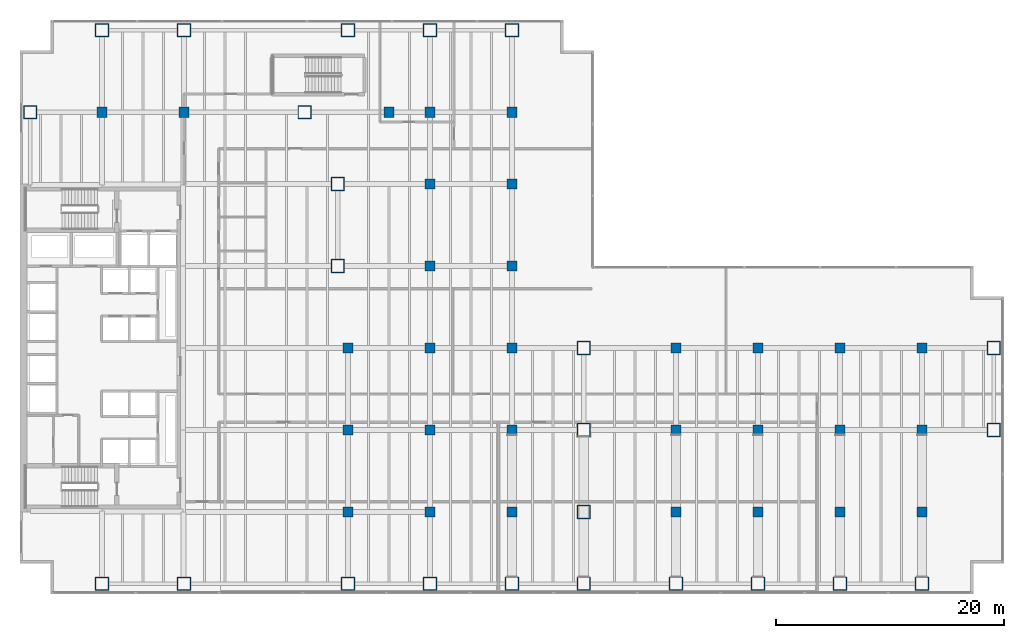
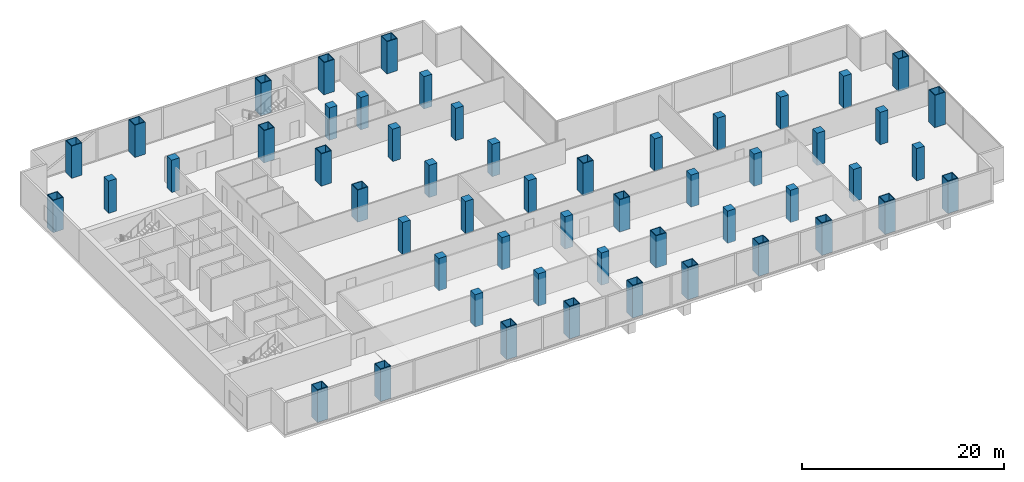
# One storey, part 1 of 34: 54 columns.
"""IFC4 building model written with IfcOpenShell, lengths in metres."""

import ifcopenshell
import ifcopenshell.guid

model = None  # the IFC model being written
_history = None  # IfcOwnerHistory: only IFC2X3 demands one
_inside = {}  # id of a spatial element -> (the spatial element, [elements in it])
_under = {}  # id of a project, library or spatial element -> (it, [spatial elements below it])
_declared = {}  # id of a project -> (the project, [libraries it declares])
_typed = {}  # id of a type object -> (the type object, [elements of that type])
_made_of = {}  # id of a material, layer set ... -> (it, [elements and type objects made of it])


def new_model(schema):
    """Start an empty IFC model of exactly this schema.

    Asked for "IFC4X3", IfcOpenShell would pick the latest addendum, in which some entities
    have other attributes; the version numbers below select the first issue.
    IFC2X3 requires an IfcOwnerHistory on every rooted entity: one is made here for all.
    """
    global model, _history
    if schema == "IFC4X3":
        model = ifcopenshell.file(schema_version=(4, 3, 0, 0))
    else:
        model = ifcopenshell.file(schema=schema)
    _inside.clear()
    _under.clear()
    _declared.clear()
    _typed.clear()
    _made_of.clear()
    _history = None
    if model.schema == "IFC2X3":
        org = make("IfcOrganization", Name="unknown")
        user = make(
            "IfcPersonAndOrganization",
            ThePerson=make("IfcPerson", FamilyName="unknown"),
            TheOrganization=org,
        )
        app = make(
            "IfcApplication",
            ApplicationDeveloper=org,
            Version="unknown",
            ApplicationFullName="unknown",
            ApplicationIdentifier="unknown",
        )
        _history = make(
            "IfcOwnerHistory",
            OwningUser=user,
            OwningApplication=app,
            ChangeAction="ADDED",
            CreationDate=0,
        )
    return model


def make(cls, **values):
    """One entity of the class cls with the attributes given. An attribute that is None is left unset."""
    return model.create_entity(
        cls, **{name: value for name, value in values.items() if value is not None}
    )


def rooted(cls, **values):
    """An entity with a GlobalId (a new one), such as an element, a storey or a relation."""
    return make(cls, GlobalId=ifcopenshell.guid.new(), OwnerHistory=_history, **values)


def si_unit(unit_type, name, prefix=None):
    """IfcSIUnit, for example si_unit("LENGTHUNIT", "METRE", prefix="MILLI")."""
    return make("IfcSIUnit", UnitType=unit_type, Prefix=prefix, Name=name)


def assignment(units):
    """IfcUnitAssignment: the units of a project."""
    return None if units is None else make("IfcUnitAssignment", Units=units)


def point(xyz):
    """IfcCartesianPoint."""
    return None if xyz is None else make("IfcCartesianPoint", Coordinates=xyz)


def direction(xyz):
    """IfcDirection."""
    return None if xyz is None else make("IfcDirection", DirectionRatios=xyz)


def frame(location, z_axis=None, x_axis=None):
    """IfcAxis2Placement3D, a coordinate frame: its origin and axes. An axis left out is left unset."""
    return make(
        "IfcAxis2Placement3D",
        Location=point(location),
        Axis=direction(z_axis),
        RefDirection=direction(x_axis),
    )


def frame_2d(location, x_axis=None):
    """IfcAxis2Placement2D, a coordinate frame in the plane: its origin and x axis."""
    return make(
        "IfcAxis2Placement2D", Location=point(location), RefDirection=direction(x_axis)
    )


def origin():
    """The frame at (0, 0, 0) with its axes left unset."""
    return frame((0.0, 0.0, 0.0))


def origin_2d():
    """The frame at (0, 0) in the plane with its x axis left unset."""
    return frame_2d((0.0, 0.0))


def place(relative_to, where):
    """IfcLocalPlacement: puts the frame where relative to a parent placement (None: the world)."""
    return make(
        "IfcLocalPlacement", PlacementRelTo=relative_to, RelativePlacement=where
    )


def context(
    kind, dimensions, precision=None, world=None, true_north=None, identifier=None
):
    """IfcGeometricRepresentationContext, for example the 3D "Model" context."""
    return make(
        "IfcGeometricRepresentationContext",
        ContextIdentifier=identifier,
        ContextType=kind,
        CoordinateSpaceDimension=dimensions,
        Precision=precision,
        WorldCoordinateSystem=world,
        TrueNorth=true_north,
    )


def subcontext(parent, identifier, kind, view, scale=None):
    """IfcGeometricRepresentationSubContext, for example "Body" below "Model"."""
    return make(
        "IfcGeometricRepresentationSubContext",
        ContextIdentifier=identifier,
        ContextType=kind,
        ParentContext=parent,
        TargetScale=scale,
        TargetView=view,
    )


def project(units=None, contexts=None):
    """IfcProject with its units and contexts."""
    return rooted(
        "IfcProject",
        Name="project",
        RepresentationContexts=contexts,
        UnitsInContext=assignment(units),
    )


def spatial(cls, under=None, at=None, **own):
    """A site, building, storey or space (cls), placed at a placement, below another one or the project."""
    s = rooted(cls, ObjectPlacement=at, **own)
    if under is not None:
        _under.setdefault(under.id(), (under, []))[1].append(s)
    return s


def profile(cls, at=None, kind="AREA", **sizes):
    """A parametric profile (cls). Its sizes go by their IFC names, for example OverallWidth=200.0."""
    return make(cls, ProfileType=kind, Position=at, **sizes)


def rectangle(**sizes):
    """IfcRectangleProfileDef."""
    return profile("IfcRectangleProfileDef", **sizes)


def hollow_rectangle(**sizes):
    """IfcRectangleHollowProfileDef."""
    return profile("IfcRectangleHollowProfileDef", **sizes)


def extrude(swept, where, along, depth):
    """IfcExtrudedAreaSolid: the profile swept, set in the frame where, extruded along a direction by depth."""
    return make(
        "IfcExtrudedAreaSolid",
        SweptArea=swept,
        Position=where,
        ExtrudedDirection=direction(along),
        Depth=depth,
    )


def shape(context_of_items, identifier, shape_type, items):
    """IfcShapeRepresentation: the items that make up one representation, for example the "Body"."""
    return make(
        "IfcShapeRepresentation",
        ContextOfItems=context_of_items,
        RepresentationIdentifier=identifier,
        RepresentationType=shape_type,
        Items=items,
    )


def material(Name=None, Category=None):
    """IfcMaterial."""
    return make("IfcMaterial", Name=Name, Category=Category)


def material_profile(
    of_material, cross_section, Name=None, Category=None, Priority=None
):
    """IfcMaterialProfile: a cross section and its material."""
    return make(
        "IfcMaterialProfile",
        Name=Name,
        Material=of_material,
        Profile=cross_section,
        Priority=Priority,
        Category=Category,
    )


def profile_set(profiles, Name=None, composite=None):
    """IfcMaterialProfileSet."""
    return make(
        "IfcMaterialProfileSet",
        Name=Name,
        MaterialProfiles=profiles,
        CompositeProfile=composite,
    )


def made_of(thing, what):
    """Note that an element or type object is made of a material, layer set ...; save() writes the relation."""
    if what is not None:
        _made_of.setdefault(what.id(), (what, []))[1].append(thing)
    return thing


def type_object(cls, material=None, **own):
    """A type object (cls), such as IfcWallType, which elements share."""
    return made_of(rooted(cls, **own), material)


def element(
    cls,
    number,
    at=None,
    inside=None,
    cuts=None,
    type_object=None,
    material=None,
    context=None,
    identifier="Body",
    shape_type=None,
    held_by="IfcProductDefinitionShape",
    body=None,
    shapes=None,
    **own,
):
    """One element of the class cls, such as IfcWall. Its Tag is "e" and its number.

    at: its placement. inside: the storey or other place that contains it. cuts: it is an
    opening in that element (IfcRelVoidsElement). A single representation is given by context,
    identifier, shape_type and body (its items); several are given by shapes. held_by: the class
    of the entity that holds the representations. save() writes the other relations.
    """
    e = rooted(cls, Tag="e%d" % number, ObjectPlacement=at, **own)
    if body is not None:
        shapes = [shape(context, identifier, shape_type, body)]
    if shapes is not None:
        e.Representation = make(held_by, Representations=shapes)
    if inside is not None:
        _inside.setdefault(inside.id(), (inside, []))[1].append(e)
    if cuts is not None:
        rooted(
            "IfcRelVoidsElement", RelatingBuildingElement=cuts, RelatedOpeningElement=e
        )
    if type_object is not None:
        _typed.setdefault(type_object.id(), (type_object, []))[1].append(e)
    return made_of(e, material)


def aggregate(whole, parts):
    """IfcRelAggregates: a whole, such as a stair, and the parts it consists of."""
    return rooted("IfcRelAggregates", RelatingObject=whole, RelatedObjects=parts)


def save(model, path):
    """Write the relations noted so far, then the file.

    IfcRelAggregates (storeys below a building ...), IfcRelContainedInSpatialStructure (elements
    in a storey), IfcRelDefinesByType, IfcRelAssociatesMaterial and IfcRelDeclares: one each for
    every whole, place, type object, material and project.
    """
    for whole, parts in _under.values():
        aggregate(whole, parts)
    for where, things in _inside.values():
        rooted(
            "IfcRelContainedInSpatialStructure",
            RelatedElements=things,
            RelatingStructure=where,
        )
    for kind, things in _typed.values():
        rooted("IfcRelDefinesByType", RelatedObjects=things, RelatingType=kind)
    for what, things in _made_of.values():
        rooted("IfcRelAssociatesMaterial", RelatedObjects=things, RelatingMaterial=what)
    for by, libraries in _declared.values():
        rooted("IfcRelDeclares", RelatingContext=by, RelatedDefinitions=libraries)
    model.write(path)


model = new_model("IFC4")

# Units and contexts
model_context = context("Model", 3, precision=1e-05, world=origin(), true_north=direction((0.0, 1.0)))
body_context = subcontext(model_context, "Body", "Model", "MODEL_VIEW")
ifc_project = project(units=[si_unit("LENGTHUNIT", "METRE"), si_unit("AREAUNIT", "SQUARE_METRE"), si_unit("VOLUMEUNIT", "CUBIC_METRE"), si_unit("PLANEANGLEUNIT", "RADIAN"), si_unit("MASSUNIT", "GRAM", prefix="KILO")], contexts=[model_context])

# Site, building, storey
site_placement = place(None, origin())
site = spatial("IfcSite", under=ifc_project, at=site_placement, CompositionType="ELEMENT")
building_placement = place(site_placement, origin())
building = spatial("IfcBuilding", under=site, at=building_placement, Name="Cobrela Telecom Tower", CompositionType="ELEMENT")
storey_placement = place(building_placement, frame((0.0, 0.0, 5.25)))
storey = spatial("IfcBuildingStorey", under=building, at=storey_placement, Name="L01", CompositionType="ELEMENT", Elevation=5.25)

# Columns
ifc_material_1 = material(Name="Concrete C40/50", Category="concrete")
ifc_material_profile_1 = material_profile(ifc_material_1, rectangle(XDim=0.89990234375, YDim=0.89990234375, at=origin_2d()), Name="RC 900x900")
ifc_profile_set_1 = profile_set([ifc_material_profile_1], Name="Concrete C40/50")
column_type_1 = type_object("IfcColumnType", Name="COL-INT-02", PredefinedType="COLUMN", material=ifc_profile_set_1)
for number, where, z_axis, x_axis, name in (
    (1, (7.199951171875, 42.300048828125, 0.0), (0.0, 0.0, 1.0), (1.0, 0.0, 0.0), "L01 Interior Column 03"),
    (2, (14.39990234375, 42.300048828125, 0.0), (0.0, 0.0, 1.0), (1.0, 0.0, 0.0), "L01 Interior Column 06"),
    (3, (28.800048828125, 7.199951171875, 0.0), (0.0, 0.0, 1.0), (1.0, 0.0, 0.0), "L01 Interior Column 12"),
    (4, (28.800048828125, 14.39990234375, 0.0), (0.0, 0.0, 1.0), (1.0, 0.0, 0.0), "L01 Interior Column 13"),
    (5, (28.800048828125, 21.60009765625, 0.0), (0.0, 0.0, 1.0), (1.0, 0.0, 0.0), "L01 Interior Column 14"),
    (6, (32.39990234375, 42.300048828125, 0.0), (0.0, 0.0, 1.0), (1.0, 0.0, 0.0), "L01 Interior Column 16"),
    (7, (36.0, 7.199951171875, 0.0), (0.0, 0.0, 1.0), (1.0, 0.0, 0.0), "L01 Interior Column 18"),
    (8, (36.0, 14.39990234375, 0.0), (0.0, 0.0, 1.0), (1.0, 0.0, 0.0), "L01 Interior Column 19"),
    (9, (36.0, 21.60009765625, 0.0), (0.0, 0.0, 1.0), (1.0, 0.0, 0.0), "L01 Interior Column 20"),
    (10, (36.0, 28.800048828125, 0.0), (0.0, 0.0, 1.0), (1.0, 0.0, 0.0), "L01 Interior Column 21"),
    (11, (36.0, 36.0, 0.0), (0.0, 0.0, 1.0), (1.0, 0.0, 0.0), "L01 Interior Column 22"),
    (12, (36.0, 42.300048828125, 0.0), (0.0, 0.0, 1.0), (1.0, 0.0, 0.0), "L01 Interior Column 23"),
    (13, (43.199951171875, 7.199951171875, 0.0), (0.0, 0.0, 1.0), (1.0, 0.0, 0.0), "L01 Interior Column 26"),
    (14, (43.199951171875, 14.39990234375, 0.0), (0.0, 0.0, 1.0), (1.0, 0.0, 0.0), "L01 Interior Column 27"),
    (15, (43.199951171875, 21.60009765625, 0.0), (0.0, 0.0, 1.0), (1.0, 0.0, 0.0), "L01 Interior Column 28"),
    (16, (43.199951171875, 28.800048828125, 0.0), (0.0, 0.0, 1.0), (1.0, 0.0, 0.0), "L01 Interior Column 29"),
    (17, (43.199951171875, 36.0, 0.0), (0.0, 0.0, 1.0), (1.0, 0.0, 0.0), "L01 Interior Column 30"),
    (18, (43.199951171875, 42.300048828125, 0.0), (0.0, 0.0, 1.0), (1.0, 0.0, 0.0), "L01 Interior Column 31"),
    (19, (57.60009765625, 7.199951171875, 0.0), (0.0, 0.0, 1.0), (1.0, 0.0, 0.0), "L01 Interior Column 38"),
    (20, (57.60009765625, 14.39990234375, 0.0), (0.0, 0.0, 1.0), (1.0, 0.0, 0.0), "L01 Interior Column 39"),
    (21, (57.60009765625, 21.60009765625, 0.0), (0.0, 0.0, 1.0), (1.0, 0.0, 0.0), "L01 Interior Column 40"),
    (22, (64.800048828125, 7.199951171875, 0.0), (0.0, 0.0, 1.0), (1.0, 0.0, 0.0), "L01 Interior Column 42"),
    (23, (64.800048828125, 14.39990234375, 0.0), (0.0, 0.0, 1.0), (1.0, 0.0, 0.0), "L01 Interior Column 43"),
    (24, (64.800048828125, 21.60009765625, 0.0), (0.0, 0.0, 1.0), (1.0, 0.0, 0.0), "L01 Interior Column 44"),
    (25, (72.0, 7.199951171875, 0.0), (0.0, 0.0, 1.0), (1.0, 0.0, 0.0), "L01 Interior Column 46"),
    (26, (72.0, 14.39990234375, 0.0), (0.0, 0.0, 1.0), (1.0, 0.0, 0.0), "L01 Interior Column 47"),
    (27, (72.0, 21.60009765625, 0.0), (0.0, 0.0, 1.0), (1.0, 0.0, 0.0), "L01 Interior Column 48"),
    (28, (79.199951171875, 7.199951171875, 0.0), (0.0, 0.0, 1.0), (1.0, 0.0, 0.0), "L01 Interior Column 50"),
    (29, (79.199951171875, 14.39990234375, 0.0), (0.0, 0.0, 1.0), (1.0, 0.0, 0.0), "L01 Interior Column 51"),
    (30, (79.199951171875, 21.60009765625, 0.0), (0.0, 0.0, 1.0), (1.0, 0.0, 0.0), "L01 Interior Column 52"),
):
    element("IfcColumn", number, at=place(storey_placement, frame(where, z_axis=z_axis, x_axis=x_axis)), inside=storey, type_object=column_type_1, Name=name, PredefinedType="COLUMN", context=body_context, shape_type="SweptSolid", body=[
        extrude(rectangle(XDim=0.89990234375, YDim=0.89990234375, at=origin_2d()), origin(), (0.0, 0.0, 1.0), 3.89990234375),
    ])
ifc_material_2 = material(Name="Steel ASTM A572 Grade 50", Category="steel")
ifc_material_profile_2 = material_profile(ifc_material_2, hollow_rectangle(XDim=1.199951171875, YDim=1.199951171875, WallThickness=0.074951171875, at=origin_2d()), Name="BOX 1200x1200x75")
ifc_profile_set_2 = profile_set([ifc_material_profile_2], Name="Steel ASTM A572 Grade 50")
column_type_2 = type_object("IfcColumnType", Name="COL-MEGA-01", PredefinedType="COLUMN", material=ifc_profile_set_2)
for number, where, z_axis, x_axis, name in (
    (31, (0.89990234375, 42.300048828125, 0.0), (0.0, 0.0, 1.0), (1.0, 0.0, 0.0), "L01 Perimeter Mega-Column 01"),
    (32, (7.199951171875, 0.89990234375, 0.0), (0.0, 0.0, 1.0), (1.0, 0.0, 0.0), "L01 Perimeter Mega-Column 02"),
    (33, (7.199951171875, 49.5, 0.0), (0.0, 0.0, 1.0), (1.0, 0.0, 0.0), "L01 Perimeter Mega-Column 04"),
    (34, (14.39990234375, 0.89990234375, 0.0), (0.0, 0.0, 1.0), (1.0, 0.0, 0.0), "L01 Perimeter Mega-Column 05"),
    (35, (14.39990234375, 49.5, 0.0), (0.0, 0.0, 1.0), (1.0, 0.0, 0.0), "L01 Perimeter Mega-Column 07"),
    (36, (25.0, 42.300048828125, 0.0), (0.0, 0.0, 1.0), (1.0, 0.0, 0.0), "L01 Perimeter Mega-Column 08"),
    (37, (27.89990234375, 28.800048828125, 0.0), (0.0, 0.0, 1.0), (1.0, 0.0, 0.0), "L01 Perimeter Mega-Column 09"),
    (38, (27.89990234375, 36.0, 0.0), (0.0, 0.0, 1.0), (1.0, 0.0, 0.0), "L01 Perimeter Mega-Column 10"),
    (39, (28.800048828125, 0.89990234375, 0.0), (0.0, 0.0, 1.0), (1.0, 0.0, 0.0), "L01 Perimeter Mega-Column 11"),
    (40, (28.800048828125, 49.5, 0.0), (0.0, 0.0, 1.0), (1.0, 0.0, 0.0), "L01 Perimeter Mega-Column 15"),
    (41, (36.0, 0.89990234375, 0.0), (0.0, 0.0, 1.0), (1.0, 0.0, 0.0), "L01 Perimeter Mega-Column 17"),
    (42, (36.0, 49.5, 0.0), (0.0, 0.0, 1.0), (1.0, 0.0, 0.0), "L01 Perimeter Mega-Column 24"),
    (43, (43.199951171875, 0.89990234375, 0.0), (0.0, 0.0, 1.0), (1.0, 0.0, 0.0), "L01 Perimeter Mega-Column 25"),
    (44, (43.199951171875, 49.5, 0.0), (0.0, 0.0, 1.0), (1.0, 0.0, 0.0), "L01 Perimeter Mega-Column 32"),
    (45, (49.5, 0.89990234375, 0.0), (0.0, 0.0, 1.0), (1.0, 0.0, 0.0), "L01 Perimeter Mega-Column 33"),
    (46, (49.5, 7.199951171875, 0.0), (0.0, 0.0, 1.0), (1.0, 0.0, 0.0), "L01 Perimeter Mega-Column 34"),
    (47, (49.5, 14.39990234375, 0.0), (0.0, 0.0, 1.0), (1.0, 0.0, 0.0), "L01 Perimeter Mega-Column 35"),
    (48, (49.5, 21.60009765625, 0.0), (0.0, 0.0, 1.0), (1.0, 0.0, 0.0), "L01 Perimeter Mega-Column 36"),
    (49, (57.60009765625, 0.89990234375, 0.0), (0.0, 0.0, 1.0), (1.0, 0.0, 0.0), "L01 Perimeter Mega-Column 37"),
    (50, (64.800048828125, 0.89990234375, 0.0), (0.0, 0.0, 1.0), (1.0, 0.0, 0.0), "L01 Perimeter Mega-Column 41"),
    (51, (72.0, 0.89990234375, 0.0), (0.0, 0.0, 1.0), (1.0, 0.0, 0.0), "L01 Perimeter Mega-Column 45"),
    (52, (79.199951171875, 0.89990234375, 0.0), (0.0, 0.0, 1.0), (1.0, 0.0, 0.0), "L01 Perimeter Mega-Column 49"),
    (53, (85.5, 14.39990234375, 0.0), (0.0, 0.0, 1.0), (1.0, 0.0, 0.0), "L01 Perimeter Mega-Column 53"),
    (54, (85.5, 21.60009765625, 0.0), (0.0, 0.0, 1.0), (1.0, 0.0, 0.0), "L01 Perimeter Mega-Column 54"),
):
    element("IfcColumn", number, at=place(storey_placement, frame(where, z_axis=z_axis, x_axis=x_axis)), inside=storey, type_object=column_type_2, Name=name, PredefinedType="COLUMN", context=body_context, shape_type="SweptSolid", body=[
        extrude(hollow_rectangle(XDim=1.199951171875, YDim=1.199951171875, WallThickness=0.074951171875, at=origin_2d()), origin(), (0.0, 0.0, 1.0), 3.89990234375),
    ])

save(model, "model.ifc")
